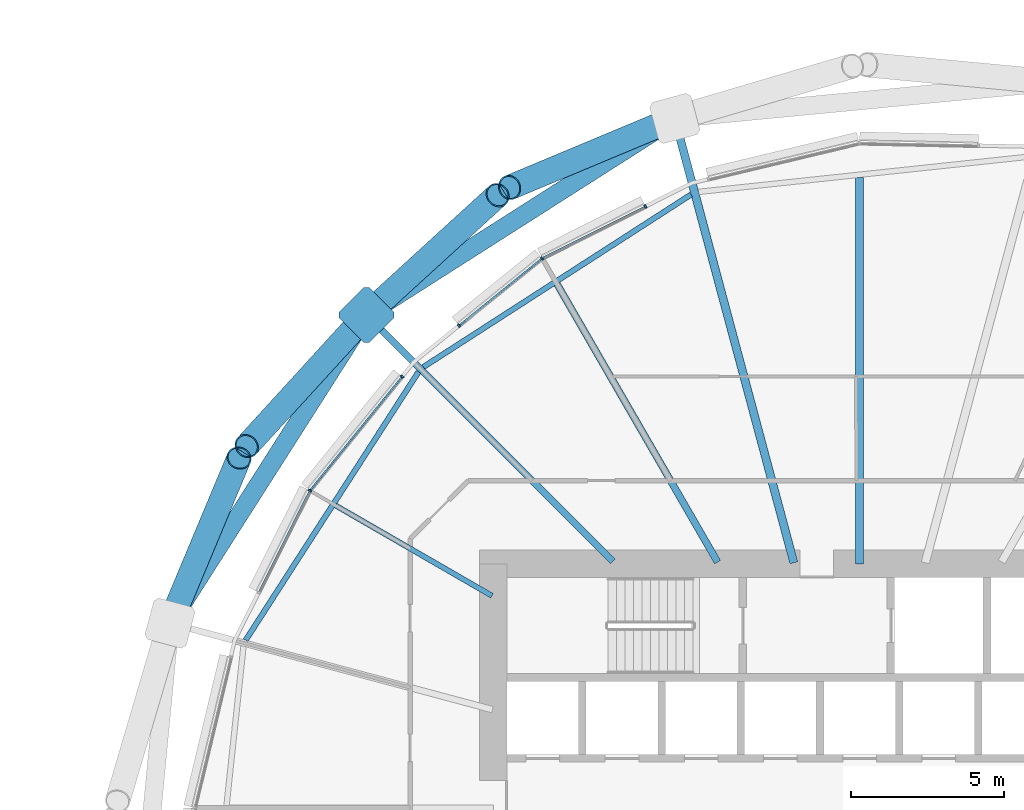
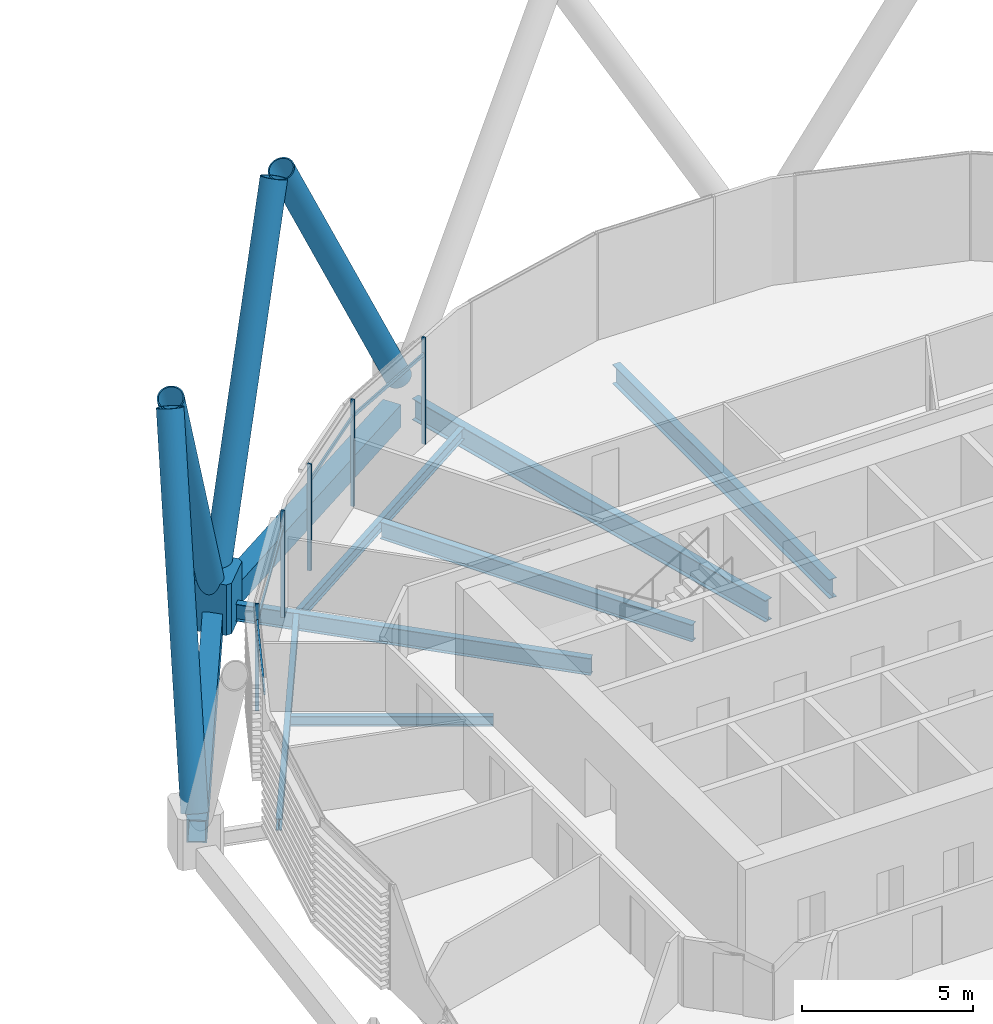
# One storey, part 19 of 40: 14 members, 9 beams, 1 element without a shape of its own.
"""IFC4 building model written with IfcOpenShell, lengths in metres."""

from ifc_helpers import new_model, si_unit, direction, frame, origin, origin_2d, place, context, subcontext, project, spatial, polyline, rectangle, hollow_rectangle, hollow_circle, i_section, outline, extrude, material, material_profile, profile_set, type_object, element, aggregate, save


model = new_model("IFC4")

# Units and contexts
model_context = context("Model", 3, precision=1e-05, world=origin(), true_north=direction((0.0, 1.0)))
body_context = subcontext(model_context, "Body", "Model", "MODEL_VIEW")
ifc_project = project(units=[si_unit("LENGTHUNIT", "METRE"), si_unit("AREAUNIT", "SQUARE_METRE"), si_unit("VOLUMEUNIT", "CUBIC_METRE"), si_unit("PLANEANGLEUNIT", "RADIAN"), si_unit("MASSUNIT", "GRAM", prefix="KILO")], contexts=[model_context])

# Site, building, storey
site_placement = place(None, origin())
site = spatial("IfcSite", under=ifc_project, at=site_placement, CompositionType="ELEMENT")
building_placement = place(site_placement, origin())
building = spatial("IfcBuilding", under=site, at=building_placement, Name="Rimbun Link Towers", CompositionType="ELEMENT")
storey_placement = place(building_placement, frame((0.0, 0.0, 52.800048828125)))
storey = spatial("IfcBuildingStorey", under=building, at=storey_placement, Name="L12", CompositionType="ELEMENT", Elevation=52.800048828125)

# Curtain wall, members
ifc_material_1 = material(Name="Aluminium 6063-T6 and low-iron glass", Category="aluminium")
curtain_wall_type = type_object("IfcCurtainWallType", Name="CW1 unitised vision wall", PredefinedType="NOTDEFINED", material=ifc_material_1)
curtain_wall_placement = place(storey_placement, origin())
curtain_wall = element("IfcCurtainWall", 1, at=curtain_wall_placement, inside=storey, type_object=curtain_wall_type, Name="CW1 L12 T2", PredefinedType="NOTDEFINED")
ifc_material_2 = material(Name="Aluminium 6063-T6", Category="aluminium")
ifc_material_profile_1 = material_profile(ifc_material_2, rectangle(XDim=0.1201171875, YDim=0.06005859375, at=origin_2d()), Name="MULLION 60X120")
ifc_profile_set_1 = profile_set([ifc_material_profile_1], Name="Aluminium 6063-T6")
member_type_1 = type_object("IfcMemberType", Name="CW1 mullion 60X120", PredefinedType="MULLION", material=ifc_profile_set_1)
member_1_placement = place(storey_placement, frame((21.34716796875, 18.01220703125, 0.0), z_axis=(0.0, 0.0, 1.0), x_axis=(-0.542104802562, 0.840310884756, 0.0)))
member_1 = element("IfcMember", 2, at=member_1_placement, type_object=member_type_1, Name="CW1 mullion", PredefinedType="MULLION", context=body_context, shape_type="SweptSolid", body=[
    extrude(rectangle(XDim=0.1201171875, YDim=0.06005859375, at=origin_2d()), origin(), (0.0, 0.0, 1.0), 3.800048828125),
])
member_2_placement = place(storey_placement, frame((24.73193359375, 19.712158203125, 0.0), z_axis=(0.0, 0.0, 1.0), x_axis=(-0.448789200311, 0.893637652343, 0.0)))
member_2 = element("IfcMember", 3, at=member_2_placement, type_object=member_type_1, Name="CW1 mullion", PredefinedType="MULLION", context=body_context, shape_type="SweptSolid", body=[
    extrude(rectangle(XDim=0.1201171875, YDim=0.06005859375, at=origin_2d()), origin(), (0.0, 0.0, 1.0), 3.800048828125),
])
member_3_placement = place(storey_placement, frame((18.623291015625, 15.8076171875, 0.0), z_axis=(0.0, 0.0, 1.0), x_axis=(-0.62915825639, 0.777277227517, 0.0)))
member_3 = element("IfcMember", 4, at=member_3_placement, type_object=member_type_1, Name="CW1 mullion", PredefinedType="MULLION", context=body_context, shape_type="SweptSolid", body=[
    extrude(rectangle(XDim=0.1201171875, YDim=0.06005859375, at=origin_2d()), origin(), (0.0, 0.0, 1.0), 3.800048828125),
])
member_4_placement = place(storey_placement, frame((13.73779296875, 10.40283203125, 0.0), z_axis=(0.0, 0.0, 1.0), x_axis=(-0.840310884756, 0.542104802562, 0.0)))
member_4 = element("IfcMember", 5, at=member_4_placement, type_object=member_type_1, Name="CW1 mullion", PredefinedType="MULLION", context=body_context, shape_type="SweptSolid", body=[
    extrude(rectangle(XDim=0.1201171875, YDim=0.06005859375, at=origin_2d()), origin(), (0.0, 0.0, 1.0), 3.800048828125),
])
member_5_placement = place(storey_placement, frame((16.76025390625, 14.136962890625, 0.0), z_axis=(0.0, 0.0, 1.0), x_axis=(-0.777277227517, 0.62915825639, 0.0)))
member_5 = element("IfcMember", 6, at=member_5_placement, type_object=member_type_1, Name="CW1 mullion", PredefinedType="MULLION", context=body_context, shape_type="SweptSolid", body=[
    extrude(rectangle(XDim=0.1201171875, YDim=0.06005859375, at=origin_2d()), origin(), (0.0, 0.0, 1.0), 3.800048828125),
])
ifc_material_3 = material(Name="Aluminium 6063-T6", Category="aluminium")
ifc_material_profile_2 = material_profile(ifc_material_3, rectangle(XDim=0.06005859375, YDim=0.1201171875, at=origin_2d()), Name="TRANSOM 60X120")
ifc_profile_set_2 = profile_set([ifc_material_profile_2], Name="Aluminium 6063-T6")
member_type_2 = type_object("IfcMemberType", Name="CW1 transom 60X120", PredefinedType="USERDEFINED", material=ifc_profile_set_2)
member_6_placement = place(storey_placement, frame((21.380615234375, 18.027099609375, 3.199951171875), z_axis=(0.893651671984, 0.448761283046, 0.0), x_axis=(-0.448761283046, 0.893651671984, 0.0)))
member_6 = element("IfcMember", 7, at=member_6_placement, type_object=member_type_2, Name="CW1 transom", ObjectType="TRANSOM", PredefinedType="USERDEFINED", context=body_context, shape_type="SweptSolid", body=[
    extrude(rectangle(XDim=0.06005859375, YDim=0.1201171875, at=origin_2d()), origin(), (0.0, 0.0, 1.0), 3.72119140625),
])
member_7_placement = place(storey_placement, frame((18.64794921875, 15.824951171875, 3.199951171875), z_axis=(0.777287868603, 0.629145109909, 0.0), x_axis=(-0.629145109909, 0.777287868603, 0.0)))
member_7 = element("IfcMember", 8, at=member_7_placement, type_object=member_type_2, Name="CW1 transom", ObjectType="TRANSOM", PredefinedType="USERDEFINED", context=body_context, shape_type="SweptSolid", body=[
    extrude(rectangle(XDim=0.06005859375, YDim=0.1201171875, at=origin_2d()), origin(), (0.0, 0.0, 1.0), 3.437744140625),
])
member_8_placement = place(storey_placement, frame((13.76220703125, 10.429931640625, 3.199951171875), z_axis=(0.629140413525, 0.777291669883, 0.0), x_axis=(-0.777291669883, 0.629140413525, 0.0)))
member_8 = element("IfcMember", 9, at=member_8_placement, type_object=member_type_2, Name="CW1 transom", ObjectType="TRANSOM", PredefinedType="USERDEFINED", context=body_context, shape_type="SweptSolid", body=[
    extrude(rectangle(XDim=0.06005859375, YDim=0.1201171875, at=origin_2d()), origin(), (0.0, 0.0, 1.0), 4.73779296875),
])
member_9_placement = place(storey_placement, frame((12.075439453125, 7.088623046875, 3.199951171875), z_axis=(0.448755777532, 0.893654436643, 0.0), x_axis=(-0.893654436643, 0.448755777532, 0.0)))
member_9 = element("IfcMember", 10, at=member_9_placement, type_object=member_type_2, Name="CW1 transom", ObjectType="TRANSOM", PredefinedType="USERDEFINED", context=body_context, shape_type="SweptSolid", body=[
    extrude(rectangle(XDim=0.06005859375, YDim=0.1201171875, at=origin_2d()), origin(), (0.0, 0.0, 1.0), 3.671142578125),
])
aggregate(curtain_wall, [member_1, member_2, member_3, member_4, member_5, member_6, member_7, member_8, member_9])

# Members
ifc_material_4 = material(Name="Steel S460NH", Category="steel")
ifc_material_profile_3 = material_profile(ifc_material_4, hollow_circle(Radius=0.406494140625, WallThickness=0.0400390625, at=origin_2d()), Name="Diagrid diagonal CHS 813x40")
ifc_profile_set_3 = profile_set([ifc_material_profile_3], Name="Steel S460NH")
member_type_3 = type_object("IfcMemberType", Name="Diagrid diagonal CHS 813x40", PredefinedType="BRACE", material=ifc_profile_set_3)
member_10_placement = place(storey_placement, frame((25.47802734375, 22.50390625, 0.440673828125), z_axis=(-0.435473897101, -0.182112474589, 0.881588073616), x_axis=(0.385815522529, -0.922575949489, 0.0)))
element("IfcMember", 11, at=member_10_placement, inside=storey, type_object=member_type_3, Name="Diagrid diagonal T2 L12-L15 04b", PredefinedType="BRACE", context=body_context, shape_type="SweptSolid", body=[
    extrude(hollow_circle(Radius=0.406494140625, WallThickness=0.0400390625, at=origin_2d()), origin(), (0.0, 0.0, 1.0), 11.931396484375),
])
for number, where, z_axis, x_axis, name in (
    (12, (15.7666015625, 16.31494140625, 0.441650390625), (0.34638383188, 0.316327679318, 0.883150632854), (-0.674343976638, 0.738417362453, 0.0), "Diagrid diagonal T2 L12-L15 06a"),
    (13, (15.43505859375, 15.9833984375, 0.441650390625), (-0.316327679318, -0.34638383188, 0.883150632854), (0.738417362453, -0.674343976638, 0.0), "Diagrid diagonal T2 L12-L15 06b"),
):
    element("IfcMember", number, at=place(storey_placement, frame(where, z_axis=z_axis, x_axis=x_axis)), inside=storey, type_object=member_type_3, Name=name, PredefinedType="BRACE", context=body_context, shape_type="SweptSolid", body=[
        extrude(hollow_circle(Radius=0.406494140625, WallThickness=0.0400390625, at=origin_2d()), origin(), (0.0, 0.0, 1.0), 11.907958984375),
    ])
member_11_placement = place(storey_placement, frame((9.24609375, 6.27197265625, 0.440673828125), z_axis=(0.182112474589, 0.435473897101, 0.881588073616), x_axis=(-0.922575949489, 0.385815522529, 0.0)))
element("IfcMember", 14, at=member_11_placement, inside=storey, type_object=member_type_3, Name="Diagrid diagonal T2 L12-L15 08a", PredefinedType="BRACE", context=body_context, shape_type="SweptSolid", body=[
    extrude(hollow_circle(Radius=0.406494140625, WallThickness=0.0400390625, at=origin_2d()), origin(), (0.0, 0.0, 1.0), 11.931396484375),
])
ifc_material_5 = material(Name="Cast steel G20Mn5+QT, Rp0.2 300 MPa", Category="steel")
ifc_material_profile_4 = material_profile(ifc_material_5, outline(polyline([(0.699951171875, -0.570068359375), (0.699951171875, 0.570068359375), (0.570068359375, 0.699951171875), (-0.570068359375, 0.699951171875), (-0.699951171875, 0.570068359375), (-0.699951171875, -0.570068359375), (-0.570068359375, -0.699951171875), (0.570068359375, -0.699951171875), (0.699951171875, -0.570068359375)])), Name="NODE 1400x1400")
ifc_profile_set_4 = profile_set([ifc_material_profile_4], Name="Cast steel G20Mn5+QT, Rp0.2 300 MPa")
member_type_4 = type_object("IfcMemberType", Name="Diagrid node cast 1400", PredefinedType="USERDEFINED", material=ifc_profile_set_4)
member_12_placement = place(storey_placement, frame((15.59326171875, 16.15673828125, -0.900146484375), z_axis=(0.0, 0.0, 1.0), x_axis=(-0.707106781187, 0.707106781187, 0.0)))
element("IfcMember", 15, at=member_12_placement, inside=storey, type_object=member_type_4, Name="Diagrid node L12 06", ObjectType="Diagrid node", PredefinedType="USERDEFINED", context=body_context, shape_type="SweptSolid", body=[
    extrude(outline(polyline([(0.699951171875, -0.570068359375), (0.699951171875, 0.570068359375), (0.570068359375, 0.699951171875), (-0.570068359375, 0.699951171875), (-0.699951171875, 0.570068359375), (-0.699951171875, -0.570068359375), (-0.570068359375, -0.699951171875), (0.570068359375, -0.699951171875), (0.699951171875, -0.570068359375)])), origin(), (0.0, 0.0, 1.0), 1.800048828125),
])

# Beams
ifc_material_6 = material(Name="Steel S355J2", Category="steel")
ifc_material_profile_5 = material_profile(ifc_material_6, hollow_rectangle(XDim=0.60009765625, YDim=0.800048828125, WallThickness=0.0400390625, at=origin_2d()), Name="Exoskeleton ring girder BOX 600x800x40")
ifc_profile_set_5 = profile_set([ifc_material_profile_5], Name="Steel S355J2")
beam_type_1 = type_object("IfcBeamType", Name="Exoskeleton ring girder BOX 600x800x40", PredefinedType="BEAM", material=ifc_profile_set_5)
for number, where, z_axis, x_axis, name in (
    (16, (25.10546875, 22.21875, -0.56005859375), (-0.843308777896, -0.53742934896, 0.0), (0.53742934896, -0.843308777896, 0.0), "Exoskeleton ring girder L12 02"),
    (17, (15.217041015625, 15.56640625, -0.56005859375), (-0.53742934896, -0.843308777896, 0.0), (0.843308777896, -0.53742934896, 0.0), "Exoskeleton ring girder L12 03"),
):
    element("IfcBeam", number, at=place(storey_placement, frame(where, z_axis=z_axis, x_axis=x_axis)), inside=storey, type_object=beam_type_1, Name=name, PredefinedType="BEAM", context=body_context, shape_type="SweptSolid", body=[
        extrude(hollow_rectangle(XDim=0.60009765625, YDim=0.800048828125, WallThickness=0.0400390625, at=origin_2d()), origin(), (0.0, 0.0, 1.0), 10.57958984375),
    ])
ifc_material_7 = material(Name="Steel S355J2", Category="steel")
ifc_material_profile_6 = material_profile(ifc_material_7, i_section(OverallWidth=0.17138671875, OverallDepth=0.35498046875, WebThickness=0.00732421875, FlangeThickness=0.011474609375, at=origin_2d()), Name="UB 356x171x51")
ifc_profile_set_6 = profile_set([ifc_material_profile_6], Name="Steel S355J2")
beam_type_2 = type_object("IfcBeamType", Name="UB 356x171x51", PredefinedType="BEAM", material=ifc_profile_set_6)
beam_1_placement = place(storey_placement, frame((19.706298828125, 6.95361328125, -0.337646484375), z_axis=(-0.866039857565, 0.499974964482, 0.0), x_axis=(-0.499974964482, -0.866039857565, 0.0)))
element("IfcBeam", 18, at=beam_1_placement, inside=storey, type_object=beam_type_2, Name="Radial beam T2 L12 07", PredefinedType="BEAM", context=body_context, shape_type="SweptSolid", body=[
    extrude(i_section(OverallWidth=0.17138671875, OverallDepth=0.35498046875, WebThickness=0.00732421875, FlangeThickness=0.011474609375, at=origin_2d()), origin(), (0.0, 0.0, 1.0), 5.914306640625),
])
ifc_material_8 = material(Name="Steel S355J2", Category="steel")
ifc_material_profile_7 = material_profile(ifc_material_8, i_section(OverallWidth=0.177978515625, OverallDepth=0.406494140625, WebThickness=0.0078125, FlangeThickness=0.0126953125, at=origin_2d()), Name="UB 406x178x60")
ifc_profile_set_7 = profile_set([ifc_material_profile_7], Name="Steel S355J2")
beam_type_3 = type_object("IfcBeamType", Name="UB 406x178x60", PredefinedType="BEAM", material=ifc_profile_set_7)
beam_2_placement = place(storey_placement, frame((26.2255859375, 20.0986328125, -0.36328125), z_axis=(-0.840626472091, -0.541615301132, 0.0), x_axis=(0.541615301132, -0.840626472091, 0.0)))
element("IfcBeam", 19, at=beam_2_placement, inside=storey, type_object=beam_type_3, Name="Edge beam T2 L12 04-06", PredefinedType="BEAM", context=body_context, shape_type="SweptSolid", body=[
    extrude(i_section(OverallWidth=0.177978515625, OverallDepth=0.406494140625, WebThickness=0.0078125, FlangeThickness=0.0126953125, at=origin_2d()), origin(), (0.0, 0.0, 1.0), 10.426513671875),
])
beam_3_placement = place(storey_placement, frame((17.298583984375, 14.289306640625, -0.36328125), z_axis=(-0.541615183026, -0.840626548187, 0.0), x_axis=(0.840626548187, -0.541615183026, 0.0)))
element("IfcBeam", 20, at=beam_3_placement, inside=storey, type_object=beam_type_3, Name="Edge beam T2 L12 06-08", PredefinedType="BEAM", context=body_context, shape_type="SweptSolid", body=[
    extrude(i_section(OverallWidth=0.177978515625, OverallDepth=0.406494140625, WebThickness=0.0078125, FlangeThickness=0.0126953125, at=origin_2d()), origin(), (0.0, 0.0, 1.0), 10.456787109375),
])
ifc_material_9 = material(Name="Steel S355J2", Category="steel")
ifc_material_profile_8 = material_profile(ifc_material_9, i_section(OverallWidth=0.2275390625, OverallDepth=0.6025390625, WebThickness=0.010498046875, FlangeThickness=0.014892578125, at=origin_2d()), Name="UB 610x229x101")
ifc_profile_set_8 = profile_set([ifc_material_profile_8], Name="Steel S355J2")
beam_type_4 = type_object("IfcBeamType", Name="UB 610x229x101", PredefinedType="BEAM", material=ifc_profile_set_8)
beam_4_placement = place(storey_placement, frame((27.097900390625, 8.057861328125, -0.46142578125), z_axis=(-0.500006456804, 0.866021675915, 0.0), x_axis=(-0.866021675915, -0.500006456804, 0.0)))
element("IfcBeam", 21, at=beam_4_placement, inside=storey, type_object=beam_type_4, Name="Radial beam T2 L12 05", PredefinedType="BEAM", context=body_context, shape_type="SweptSolid", body=[
    extrude(i_section(OverallWidth=0.2275390625, OverallDepth=0.6025390625, WebThickness=0.010498046875, FlangeThickness=0.014892578125, at=origin_2d()), origin(), (0.0, 0.0, 1.0), 10.516845703125),
])
beam_5_placement = place(storey_placement, frame((23.668701171875, 8.081298828125, -0.46142578125), z_axis=(-0.707106781187, 0.707106781187, 0.0), x_axis=(-0.707106781187, -0.707106781187, 0.0)))
element("IfcBeam", 22, at=beam_5_placement, inside=storey, type_object=beam_type_4, Name="Radial beam T2 L12 06", PredefinedType="BEAM", context=body_context, shape_type="SweptSolid", body=[
    extrude(i_section(OverallWidth=0.2275390625, OverallDepth=0.6025390625, WebThickness=0.010498046875, FlangeThickness=0.014892578125, at=origin_2d()), origin(), (0.0, 0.0, 1.0), 10.920166015625),
])
ifc_material_10 = material(Name="Steel S355J2", Category="steel")
ifc_material_profile_9 = material_profile(ifc_material_10, i_section(OverallWidth=0.253662109375, OverallDepth=0.68359375, WebThickness=0.012451171875, FlangeThickness=0.01904296875, at=origin_2d()), Name="UB 686x254x140")
ifc_profile_set_9 = profile_set([ifc_material_profile_9], Name="Steel S355J2")
beam_type_5 = type_object("IfcBeamType", Name="UB 686x254x140", PredefinedType="BEAM", material=ifc_profile_set_9)
beam_6_placement = place(storey_placement, frame((31.75, 8.0009765625, -0.501708984375), z_axis=(0.0, 1.0, 0.0), x_axis=(-1.0, 0.0, 0.0)))
element("IfcBeam", 23, at=beam_6_placement, inside=storey, type_object=beam_type_5, Name="Radial beam T2 L12 03", PredefinedType="BEAM", context=body_context, shape_type="SweptSolid", body=[
    extrude(i_section(OverallWidth=0.253662109375, OverallDepth=0.68359375, WebThickness=0.012451171875, FlangeThickness=0.01904296875, at=origin_2d()), origin(), (0.0, 0.0, 1.0), 12.658935546875),
])
ifc_material_11 = material(Name="Steel S355J2", Category="steel")
ifc_material_profile_10 = material_profile(ifc_material_11, i_section(OverallWidth=0.2666015625, OverallDepth=0.76220703125, WebThickness=0.014404296875, FlangeThickness=0.021484375, at=origin_2d()), Name="UB 762x267x173")
ifc_profile_set_10 = profile_set([ifc_material_profile_10], Name="Steel S355J2")
beam_type_6 = type_object("IfcBeamType", Name="UB 762x267x173", PredefinedType="BEAM", material=ifc_profile_set_10)
beam_7_placement = place(storey_placement, frame((29.596923828125, 8.035400390625, -0.541259765625), z_axis=(-0.258816753823, 0.965926440233, 0.0), x_axis=(-0.965926440233, -0.258816753823, 0.0)))
element("IfcBeam", 24, at=beam_7_placement, inside=storey, type_object=beam_type_6, Name="Radial beam T2 L12 04", PredefinedType="BEAM", context=body_context, shape_type="SweptSolid", body=[
    extrude(i_section(OverallWidth=0.2666015625, OverallDepth=0.76220703125, WebThickness=0.014404296875, FlangeThickness=0.021484375, at=origin_2d()), origin(), (0.0, 0.0, 1.0), 14.572998046875),
])

save(model, "model.ifc")
